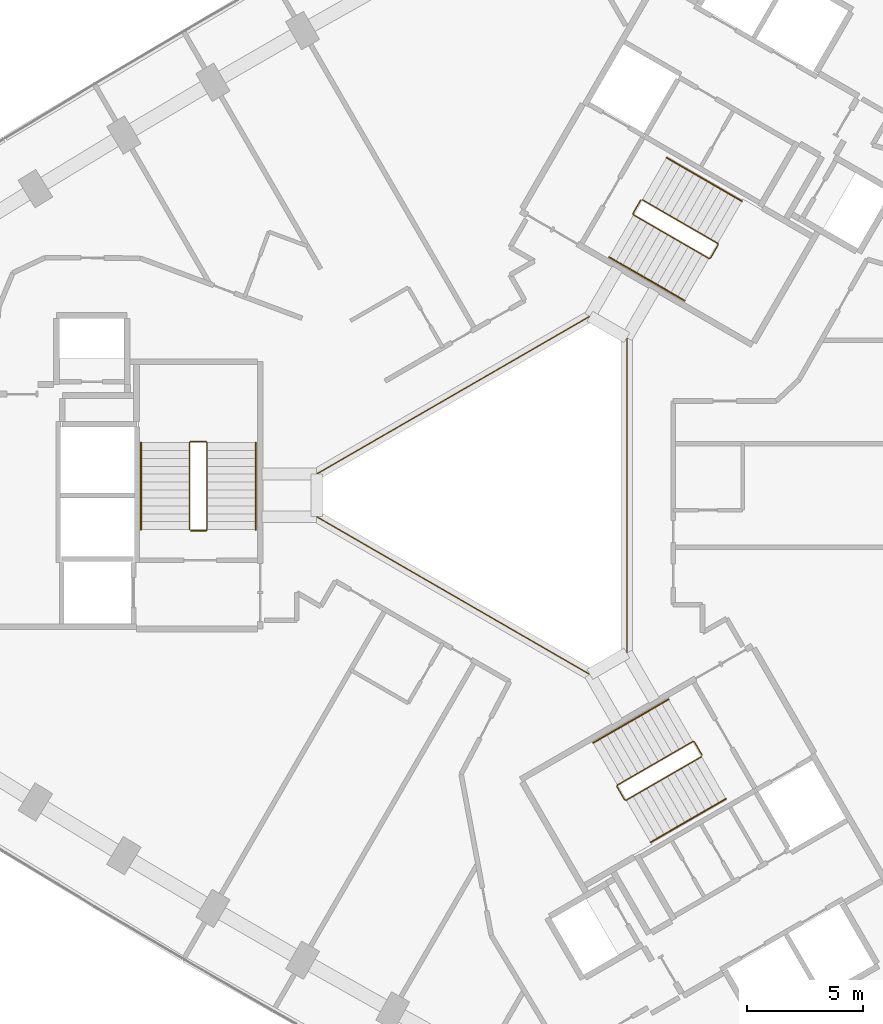
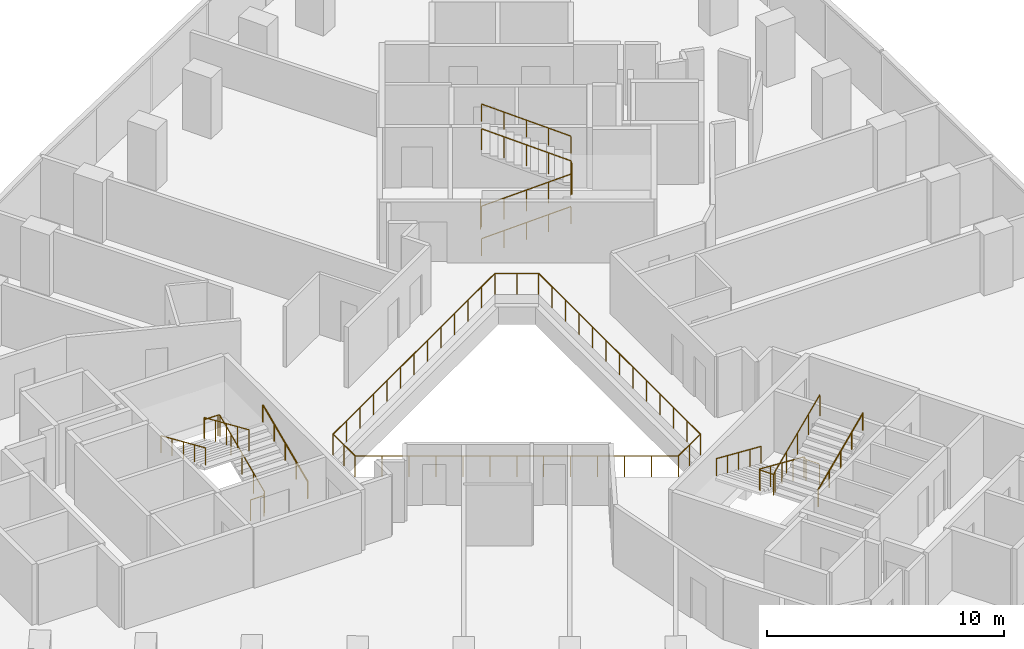
# One storey, part 13 of 13: 10 railings.
"""IFC4 building model written with IfcOpenShell, lengths in metres."""

from ifc_helpers import new_model, si_unit, direction, frame, origin, origin_2d, place, context, subcontext, project, spatial, circle, extrude, material, type_object, element, save


model = new_model("IFC4")

# Units and contexts
model_context = context("Model", 3, precision=1e-05, world=origin(), true_north=direction((0.0, 1.0)))
body_context = subcontext(model_context, "Body", "Model", "MODEL_VIEW")
ifc_project = project(units=[si_unit("LENGTHUNIT", "METRE"), si_unit("AREAUNIT", "SQUARE_METRE"), si_unit("VOLUMEUNIT", "CUBIC_METRE"), si_unit("PLANEANGLEUNIT", "RADIAN"), si_unit("MASSUNIT", "GRAM", prefix="KILO")], contexts=[model_context])

# Site, building, storey
site_placement = place(None, origin())
site = spatial("IfcSite", under=ifc_project, at=site_placement, CompositionType="ELEMENT")
building_placement = place(site_placement, origin())
building = spatial("IfcBuilding", under=site, at=building_placement, Name="Tamra Quay Hotel Tower", CompositionType="ELEMENT")
storey_placement = place(building_placement, frame((0.0, 0.0, 60.199951171875)))
storey = spatial("IfcBuildingStorey", under=building, at=storey_placement, Name="L13", CompositionType="ELEMENT", Elevation=60.199951171875)

# Railings
ifc_material_1 = material(Name="Guard atrium edge 1100")
railing_type_1 = type_object("IfcRailingType", Name="Guard atrium edge 1100", PredefinedType="GUARDRAIL", material=ifc_material_1)
railing_1_placement = place(storey_placement, frame((5.0, -6.81298828125, 0.0)))
element("IfcRailing", 1, at=railing_1_placement, inside=storey, type_object=railing_type_1, Name="G-A", PredefinedType="GUARDRAIL", context=body_context, shape_type="SweptSolid", body=[
    extrude(circle(Radius=0.02392578125, at=origin_2d()), frame((0.0, 0.0, 1.076171875), z_axis=(-0.866194386982, -0.499707198227, 0.0), x_axis=(0.499707198227, -0.866194386982, 0.0)), (0.0, 0.0, 1.0), 1.84716796875),
    extrude(circle(Radius=0.02392578125, at=origin_2d()), frame((-1.60009765625, -0.923095703125, 1.076171875), z_axis=(-0.866044747976, 0.49996649338, 0.0), x_axis=(-0.49996649338, -0.866044747976, 0.0)), (0.0, 0.0, 1.0), 13.625),
    extrude(circle(Radius=0.02392578125, at=origin_2d()), frame((-13.39990234375, 5.888916015625, 1.076171875), z_axis=(0.0, 1.0, 0.0), x_axis=(-1.0, 0.0, 0.0)), (0.0, 0.0, 1.0), 1.84814453125),
    extrude(circle(Radius=0.02392578125, at=origin_2d()), frame((-13.39990234375, 7.737060546875, 1.076171875), z_axis=(0.866044747976, 0.49996649338, 0.0), x_axis=(-0.49996649338, 0.866044747976, 0.0)), (0.0, 0.0, 1.0), 13.625),
    extrude(circle(Radius=0.02392578125, at=origin_2d()), frame((-1.60009765625, 14.549072265625, 1.076171875), z_axis=(0.866194386982, -0.499707198227, 0.0), x_axis=(0.499707198227, 0.866194386982, 0.0)), (0.0, 0.0, 1.0), 1.84716796875),
    extrude(circle(Radius=0.02392578125, at=origin_2d()), frame((0.0, 13.6259765625, 1.076171875), z_axis=(0.0, -1.0, 0.0), x_axis=(1.0, 0.0, 0.0)), (0.0, 0.0, 1.0), 13.6259765625),
    extrude(circle(Radius=0.02099609375, at=origin_2d()), origin(), (0.0, 0.0, 1.0), 1.052001953125),
    extrude(circle(Radius=0.02099609375, at=origin_2d()), frame((-0.800048828125, -0.46142578125, 0.0)), (0.0, 0.0, 1.0), 1.052001953125),
    extrude(circle(Radius=0.02099609375, at=origin_2d()), frame((-1.60009765625, -0.923095703125, 0.0)), (0.0, 0.0, 1.0), 1.052001953125),
    extrude(circle(Radius=0.02099609375, at=origin_2d()), frame((-2.58349609375, -0.35546875, 0.0)), (0.0, 0.0, 1.0), 1.052001953125),
    extrude(circle(Radius=0.02099609375, at=origin_2d()), frame((-3.566650390625, 0.212158203125, 0.0)), (0.0, 0.0, 1.0), 1.052001953125),
    extrude(circle(Radius=0.02099609375, at=origin_2d()), frame((-4.550048828125, 0.77978515625, 0.0)), (0.0, 0.0, 1.0), 1.052001953125),
    extrude(circle(Radius=0.02099609375, at=origin_2d()), frame((-5.533447265625, 1.34765625, 0.0)), (0.0, 0.0, 1.0), 1.052001953125),
    extrude(circle(Radius=0.02099609375, at=origin_2d()), frame((-6.5166015625, 1.915283203125, 0.0)), (0.0, 0.0, 1.0), 1.052001953125),
    extrude(circle(Radius=0.02099609375, at=origin_2d()), frame((-7.5, 2.48291015625, 0.0)), (0.0, 0.0, 1.0), 1.052001953125),
    extrude(circle(Radius=0.02099609375, at=origin_2d()), frame((-8.4833984375, 3.050537109375, 0.0)), (0.0, 0.0, 1.0), 1.052001953125),
    extrude(circle(Radius=0.02099609375, at=origin_2d()), frame((-9.466552734375, 3.6181640625, 0.0)), (0.0, 0.0, 1.0), 1.052001953125),
    extrude(circle(Radius=0.02099609375, at=origin_2d()), frame((-10.449951171875, 4.18603515625, 0.0)), (0.0, 0.0, 1.0), 1.052001953125),
    extrude(circle(Radius=0.02099609375, at=origin_2d()), frame((-11.433349609375, 4.753662109375, 0.0)), (0.0, 0.0, 1.0), 1.052001953125),
    extrude(circle(Radius=0.02099609375, at=origin_2d()), frame((-12.41650390625, 5.3212890625, 0.0)), (0.0, 0.0, 1.0), 1.052001953125),
    extrude(circle(Radius=0.02099609375, at=origin_2d()), frame((-13.39990234375, 5.888916015625, 0.0)), (0.0, 0.0, 1.0), 1.052001953125),
    extrude(circle(Radius=0.02099609375, at=origin_2d()), frame((-13.39990234375, 6.81298828125, 0.0)), (0.0, 0.0, 1.0), 1.052001953125),
    extrude(circle(Radius=0.02099609375, at=origin_2d()), frame((-13.39990234375, 7.737060546875, 0.0)), (0.0, 0.0, 1.0), 1.052001953125),
    extrude(circle(Radius=0.02099609375, at=origin_2d()), frame((-12.41650390625, 8.3046875, 0.0)), (0.0, 0.0, 1.0), 1.052001953125),
    extrude(circle(Radius=0.02099609375, at=origin_2d()), frame((-11.433349609375, 8.872314453125, 0.0)), (0.0, 0.0, 1.0), 1.052001953125),
    extrude(circle(Radius=0.02099609375, at=origin_2d()), frame((-10.449951171875, 9.43994140625, 0.0)), (0.0, 0.0, 1.0), 1.052001953125),
    extrude(circle(Radius=0.02099609375, at=origin_2d()), frame((-9.466552734375, 10.0078125, 0.0)), (0.0, 0.0, 1.0), 1.052001953125),
    extrude(circle(Radius=0.02099609375, at=origin_2d()), frame((-8.4833984375, 10.575439453125, 0.0)), (0.0, 0.0, 1.0), 1.052001953125),
    extrude(circle(Radius=0.02099609375, at=origin_2d()), frame((-7.5, 11.14306640625, 0.0)), (0.0, 0.0, 1.0), 1.052001953125),
    extrude(circle(Radius=0.02099609375, at=origin_2d()), frame((-6.5166015625, 11.710693359375, 0.0)), (0.0, 0.0, 1.0), 1.052001953125),
    extrude(circle(Radius=0.02099609375, at=origin_2d()), frame((-5.533447265625, 12.2783203125, 0.0)), (0.0, 0.0, 1.0), 1.052001953125),
    extrude(circle(Radius=0.02099609375, at=origin_2d()), frame((-4.550048828125, 12.84619140625, 0.0)), (0.0, 0.0, 1.0), 1.052001953125),
    extrude(circle(Radius=0.02099609375, at=origin_2d()), frame((-3.566650390625, 13.413818359375, 0.0)), (0.0, 0.0, 1.0), 1.052001953125),
    extrude(circle(Radius=0.02099609375, at=origin_2d()), frame((-2.58349609375, 13.9814453125, 0.0)), (0.0, 0.0, 1.0), 1.052001953125),
    extrude(circle(Radius=0.02099609375, at=origin_2d()), frame((-1.60009765625, 14.549072265625, 0.0)), (0.0, 0.0, 1.0), 1.052001953125),
    extrude(circle(Radius=0.02099609375, at=origin_2d()), frame((-0.800048828125, 14.08740234375, 0.0)), (0.0, 0.0, 1.0), 1.052001953125),
    extrude(circle(Radius=0.02099609375, at=origin_2d()), frame((0.0, 13.6259765625, 0.0)), (0.0, 0.0, 1.0), 1.052001953125),
    extrude(circle(Radius=0.02099609375, at=origin_2d()), frame((0.0, 12.490478515625, 0.0)), (0.0, 0.0, 1.0), 1.052001953125),
    extrude(circle(Radius=0.02099609375, at=origin_2d()), frame((0.0, 11.35498046875, 0.0)), (0.0, 0.0, 1.0), 1.052001953125),
    extrude(circle(Radius=0.02099609375, at=origin_2d()), frame((0.0, 10.219482421875, 0.0)), (0.0, 0.0, 1.0), 1.052001953125),
    extrude(circle(Radius=0.02099609375, at=origin_2d()), frame((0.0, 9.083984375, 0.0)), (0.0, 0.0, 1.0), 1.052001953125),
    extrude(circle(Radius=0.02099609375, at=origin_2d()), frame((0.0, 7.948486328125, 0.0)), (0.0, 0.0, 1.0), 1.052001953125),
    extrude(circle(Radius=0.02099609375, at=origin_2d()), frame((0.0, 6.81298828125, 0.0)), (0.0, 0.0, 1.0), 1.052001953125),
    extrude(circle(Radius=0.02099609375, at=origin_2d()), frame((0.0, 5.677490234375, 0.0)), (0.0, 0.0, 1.0), 1.052001953125),
    extrude(circle(Radius=0.02099609375, at=origin_2d()), frame((0.0, 4.5419921875, 0.0)), (0.0, 0.0, 1.0), 1.052001953125),
    extrude(circle(Radius=0.02099609375, at=origin_2d()), frame((0.0, 3.406494140625, 0.0)), (0.0, 0.0, 1.0), 1.052001953125),
    extrude(circle(Radius=0.02099609375, at=origin_2d()), frame((0.0, 2.27099609375, 0.0)), (0.0, 0.0, 1.0), 1.052001953125),
    extrude(circle(Radius=0.02099609375, at=origin_2d()), frame((0.0, 1.135498046875, 0.0)), (0.0, 0.0, 1.0), 1.052001953125),
])
ifc_material_2 = material(Name="Stair guard 1100")
railing_type_2 = type_object("IfcRailingType", Name="Stair guard 1100", PredefinedType="GUARDRAIL", material=ifc_material_2)
railing_2_placement = place(storey_placement, frame((-13.84130859375, -1.530029296875, 0.0)))
element("IfcRailing", 2, at=railing_2_placement, inside=storey, type_object=railing_type_2, Name="GR", PredefinedType="GUARDRAIL", context=body_context, shape_type="SweptSolid", body=[
    extrude(circle(Radius=0.02392578125, at=origin_2d()), frame((0.0, 0.0, 1.076171875), z_axis=(1.0, 0.0, 0.0), x_axis=(0.0, 1.0, 0.0)), (0.0, 0.0, 1.0), 0.658935546875),
    extrude(circle(Radius=0.02392578125, at=origin_2d()), frame((0.658935546875, 0.0, 1.076171875), z_axis=(0.301511344578, 0.301511344578, 0.904534033733), x_axis=(-0.707106781187, 0.707106781187, 0.0)), (0.0, 0.0, 1.0), 0.166015625),
    extrude(circle(Radius=0.02392578125, at=origin_2d()), frame((0.708984375, 0.050048828125, 1.22607421875), z_axis=(0.0, 0.915795495799, 0.401644880304), x_axis=(-1.0, 0.0, 0.0)), (0.0, 0.0, 1.0), 4.10791015625),
    extrude(circle(Radius=0.02392578125, at=origin_2d()), frame((0.708984375, 3.81201171875, 2.8759765625), z_axis=(-0.708833529934, 0.705375805398, 0.0), x_axis=(-0.705375805398, -0.708833529934, 0.0)), (0.0, 0.0, 1.0), 0.070556640625),
    extrude(circle(Radius=0.02392578125, at=origin_2d()), frame((0.658935546875, 3.86181640625, 2.8759765625), z_axis=(-1.0, 0.0, 0.0), x_axis=(0.0, -1.0, 0.0)), (0.0, 0.0, 1.0), 0.658935546875),
    extrude(circle(Radius=0.02392578125, at=origin_2d()), frame((0.0, 3.86181640625, 2.8759765625), z_axis=(-0.302046947789, -0.300573548044, 0.904667443621), x_axis=(0.705375805398, -0.708833529934, 0.0)), (0.0, 0.0, 1.0), 0.165771484375),
    extrude(circle(Radius=0.02392578125, at=origin_2d()), frame((-0.050048828125, 3.81201171875, 3.02587890625), z_axis=(0.0, -0.915773634228, 0.401694723457), x_axis=(1.0, 0.0, 0.0)), (0.0, 0.0, 1.0), 4.10791015625),
    extrude(circle(Radius=0.02099609375, at=origin_2d()), origin(), (0.0, 0.0, 1.0), 1.052001953125),
    extrude(circle(Radius=0.02099609375, at=origin_2d()), frame((0.658935546875, 0.0, 0.0)), (0.0, 0.0, 1.0), 1.052001953125),
    extrude(circle(Radius=0.02099609375, at=origin_2d()), frame((0.708984375, 0.050048828125, 0.150146484375)), (0.0, 0.0, 1.0), 1.052001953125),
    extrude(circle(Radius=0.02099609375, at=origin_2d()), frame((0.708984375, 0.990478515625, 0.5625)), (0.0, 0.0, 1.0), 1.052001953125),
    extrude(circle(Radius=0.02099609375, at=origin_2d()), frame((0.708984375, 1.93115234375, 0.97509765625)), (0.0, 0.0, 1.0), 1.052001953125),
    extrude(circle(Radius=0.02099609375, at=origin_2d()), frame((0.708984375, 2.87158203125, 1.3876953125)), (0.0, 0.0, 1.0), 1.052001953125),
    extrude(circle(Radius=0.02099609375, at=origin_2d()), frame((0.708984375, 3.81201171875, 1.800048828125)), (0.0, 0.0, 1.0), 1.052001953125),
    extrude(circle(Radius=0.02099609375, at=origin_2d()), frame((0.658935546875, 3.86181640625, 1.800048828125)), (0.0, 0.0, 1.0), 1.052001953125),
    extrude(circle(Radius=0.02099609375, at=origin_2d()), frame((0.0, 3.86181640625, 1.800048828125)), (0.0, 0.0, 1.0), 1.052001953125),
    extrude(circle(Radius=0.02099609375, at=origin_2d()), frame((-0.050048828125, 3.81201171875, 1.949951171875)), (0.0, 0.0, 1.0), 1.052001953125),
    extrude(circle(Radius=0.02099609375, at=origin_2d()), frame((-0.050048828125, 2.87158203125, 2.362548828125)), (0.0, 0.0, 1.0), 1.052001953125),
    extrude(circle(Radius=0.02099609375, at=origin_2d()), frame((-0.050048828125, 1.93115234375, 2.77490234375)), (0.0, 0.0, 1.0), 1.052001953125),
    extrude(circle(Radius=0.02099609375, at=origin_2d()), frame((-0.050048828125, 0.990478515625, 3.1875)), (0.0, 0.0, 1.0), 1.052001953125),
    extrude(circle(Radius=0.02099609375, at=origin_2d()), frame((-0.050048828125, 0.050048828125, 3.60009765625)), (0.0, 0.0, 1.0), 1.052001953125),
])
railing_3_placement = place(storey_placement, frame((5.595458984375, 12.751953125, 0.0)))
element("IfcRailing", 3, at=railing_3_placement, inside=storey, type_object=railing_type_2, Name="GR", PredefinedType="GUARDRAIL", context=body_context, shape_type="SweptSolid", body=[
    extrude(circle(Radius=0.02392578125, at=origin_2d()), frame((0.0, 0.0, 1.076171875), z_axis=(-0.499765215335, -0.866160914346, 0.0), x_axis=(0.866160914346, -0.499765215335, 0.0)), (0.0, 0.0, 1.0), 0.658935546875),
    extrude(circle(Radius=0.02392578125, at=origin_2d()), frame((-0.329345703125, -0.57080078125, 1.076171875), z_axis=(0.110378772244, -0.410609032747, 0.905105932399), x_axis=(0.965715946433, 0.259601060869, 0.0)), (0.0, 0.0, 1.0), 0.165771484375),
    extrude(circle(Radius=0.02392578125, at=origin_2d()), frame((-0.31103515625, -0.638916015625, 1.22607421875), z_axis=(0.793078462799, -0.457933869594, 0.401650498471), x_axis=(0.500040788363, 0.866001853331, 0.0)), (0.0, 0.0, 1.0), 4.10791015625),
    extrude(circle(Radius=0.02392578125, at=origin_2d()), frame((2.94677734375, -2.52001953125, 2.8759765625), z_axis=(0.965948051503, 0.258736085224, 0.0), x_axis=(-0.258736085224, 0.965948051503, 0.0)), (0.0, 0.0, 1.0), 0.07080078125),
    extrude(circle(Radius=0.02392578125, at=origin_2d()), frame((3.01513671875, -2.501708984375, 2.8759765625), z_axis=(0.500043078269, 0.866000531106, 0.0), x_axis=(-0.866000531106, 0.500043078269, 0.0)), (0.0, 0.0, 1.0), 0.6591796875),
    extrude(circle(Radius=0.02392578125, at=origin_2d()), frame((3.3447265625, -1.930908203125, 2.8759765625), z_axis=(-0.110525977783, 0.411156637351, 0.904839338113), x_axis=(-0.965715946433, -0.259601060869, 0.0)), (0.0, 0.0, 1.0), 0.165771484375),
    extrude(circle(Radius=0.02392578125, at=origin_2d()), frame((3.326416015625, -1.86279296875, 3.02587890625), z_axis=(-0.793081581205, 0.457901355053, 0.401681409319), x_axis=(-0.500012686397, -0.866018079166, 0.0)), (0.0, 0.0, 1.0), 4.108154296875),
    extrude(circle(Radius=0.02099609375, at=origin_2d()), origin(), (0.0, 0.0, 1.0), 1.052001953125),
    extrude(circle(Radius=0.02099609375, at=origin_2d()), frame((-0.329345703125, -0.57080078125, 0.0)), (0.0, 0.0, 1.0), 1.052001953125),
    extrude(circle(Radius=0.02099609375, at=origin_2d()), frame((-0.31103515625, -0.638916015625, 0.150146484375)), (0.0, 0.0, 1.0), 1.052001953125),
    extrude(circle(Radius=0.02099609375, at=origin_2d()), frame((0.50341796875, -1.109130859375, 0.5625)), (0.0, 0.0, 1.0), 1.052001953125),
    extrude(circle(Radius=0.02099609375, at=origin_2d()), frame((1.31787109375, -1.57958984375, 0.97509765625)), (0.0, 0.0, 1.0), 1.052001953125),
    extrude(circle(Radius=0.02099609375, at=origin_2d()), frame((2.13232421875, -2.0498046875, 1.3876953125)), (0.0, 0.0, 1.0), 1.052001953125),
    extrude(circle(Radius=0.02099609375, at=origin_2d()), frame((2.94677734375, -2.52001953125, 1.800048828125)), (0.0, 0.0, 1.0), 1.052001953125),
    extrude(circle(Radius=0.02099609375, at=origin_2d()), frame((3.01513671875, -2.501708984375, 1.800048828125)), (0.0, 0.0, 1.0), 1.052001953125),
    extrude(circle(Radius=0.02099609375, at=origin_2d()), frame((3.3447265625, -1.930908203125, 1.800048828125)), (0.0, 0.0, 1.0), 1.052001953125),
    extrude(circle(Radius=0.02099609375, at=origin_2d()), frame((3.326416015625, -1.86279296875, 1.949951171875)), (0.0, 0.0, 1.0), 1.052001953125),
    extrude(circle(Radius=0.02099609375, at=origin_2d()), frame((2.511962890625, -1.392578125, 2.362548828125)), (0.0, 0.0, 1.0), 1.052001953125),
    extrude(circle(Radius=0.02099609375, at=origin_2d()), frame((1.697265625, -0.92236328125, 2.77490234375)), (0.0, 0.0, 1.0), 1.052001953125),
    extrude(circle(Radius=0.02099609375, at=origin_2d()), frame((0.8828125, -0.451904296875, 3.1875)), (0.0, 0.0, 1.0), 1.052001953125),
    extrude(circle(Radius=0.02099609375, at=origin_2d()), frame((0.068359375, 0.018310546875, 3.60009765625)), (0.0, 0.0, 1.0), 1.052001953125),
])
railing_4_placement = place(storey_placement, frame((8.245849609375, -11.221923828125, 0.0)))
element("IfcRailing", 4, at=railing_4_placement, inside=storey, type_object=railing_type_2, Name="GR", PredefinedType="GUARDRAIL", context=body_context, shape_type="SweptSolid", body=[
    extrude(circle(Radius=0.02392578125, at=origin_2d()), frame((0.0, 0.0, 1.076171875), z_axis=(-0.500043078269, 0.866000531106, 0.0), x_axis=(-0.866000531106, -0.500043078269, 0.0)), (0.0, 0.0, 1.0), 0.6591796875),
    extrude(circle(Radius=0.02392578125, at=origin_2d()), frame((-0.32958984375, 0.57080078125, 1.076171875), z_axis=(-0.411831509231, 0.110312011401, 0.90455849349), x_axis=(-0.258736085224, -0.965948051503, 0.0)), (0.0, 0.0, 1.0), 0.166015625),
    extrude(circle(Radius=0.02392578125, at=origin_2d()), frame((-0.39794921875, 0.589111328125, 1.22607421875), z_axis=(-0.793100512587, -0.457912285461, 0.401631567183), x_axis=(0.500012686397, -0.866018079166, 0.0)), (0.0, 0.0, 1.0), 4.10791015625),
    extrude(circle(Radius=0.02392578125, at=origin_2d()), frame((-3.656005859375, -1.2919921875, 2.8759765625), z_axis=(-0.256368644879, -0.966579080015, 0.0), x_axis=(0.966579080015, -0.256368644879, 0.0)), (0.0, 0.0, 1.0), 0.070556640625),
    extrude(circle(Radius=0.02392578125, at=origin_2d()), frame((-3.674072265625, -1.360107421875, 2.8759765625), z_axis=(0.499765215335, -0.866160914346, 0.0), x_axis=(0.866160914346, 0.499765215335, 0.0)), (0.0, 0.0, 1.0), 0.658935546875),
    extrude(circle(Radius=0.02392578125, at=origin_2d()), frame((-3.3447265625, -1.930908203125, 2.8759765625), z_axis=(0.41238007866, -0.110458949641, 0.904290601062), x_axis=(0.258736085224, 0.965948051503, 0.0)), (0.0, 0.0, 1.0), 0.165771484375),
    extrude(circle(Radius=0.02392578125, at=origin_2d()), frame((-3.2763671875, -1.94921875, 3.02587890625), z_axis=(0.793081581205, 0.457901355053, 0.401681409319), x_axis=(-0.500012686397, 0.866018079166, 0.0)), (0.0, 0.0, 1.0), 4.108154296875),
    extrude(circle(Radius=0.02099609375, at=origin_2d()), origin(), (0.0, 0.0, 1.0), 1.052001953125),
    extrude(circle(Radius=0.02099609375, at=origin_2d()), frame((-0.32958984375, 0.57080078125, 0.0)), (0.0, 0.0, 1.0), 1.052001953125),
    extrude(circle(Radius=0.02099609375, at=origin_2d()), frame((-0.39794921875, 0.589111328125, 0.150146484375)), (0.0, 0.0, 1.0), 1.052001953125),
    extrude(circle(Radius=0.02099609375, at=origin_2d()), frame((-1.21240234375, 0.118896484375, 0.5625)), (0.0, 0.0, 1.0), 1.052001953125),
    extrude(circle(Radius=0.02099609375, at=origin_2d()), frame((-2.02685546875, -0.3515625, 0.97509765625)), (0.0, 0.0, 1.0), 1.052001953125),
    extrude(circle(Radius=0.02099609375, at=origin_2d()), frame((-2.841552734375, -0.82177734375, 1.3876953125)), (0.0, 0.0, 1.0), 1.052001953125),
    extrude(circle(Radius=0.02099609375, at=origin_2d()), frame((-3.656005859375, -1.2919921875, 1.800048828125)), (0.0, 0.0, 1.0), 1.052001953125),
    extrude(circle(Radius=0.02099609375, at=origin_2d()), frame((-3.674072265625, -1.360107421875, 1.800048828125)), (0.0, 0.0, 1.0), 1.052001953125),
    extrude(circle(Radius=0.02099609375, at=origin_2d()), frame((-3.3447265625, -1.930908203125, 1.800048828125)), (0.0, 0.0, 1.0), 1.052001953125),
    extrude(circle(Radius=0.02099609375, at=origin_2d()), frame((-3.2763671875, -1.94921875, 1.949951171875)), (0.0, 0.0, 1.0), 1.052001953125),
    extrude(circle(Radius=0.02099609375, at=origin_2d()), frame((-2.4619140625, -1.47900390625, 2.362548828125)), (0.0, 0.0, 1.0), 1.052001953125),
    extrude(circle(Radius=0.02099609375, at=origin_2d()), frame((-1.6474609375, -1.0087890625, 2.77490234375)), (0.0, 0.0, 1.0), 1.052001953125),
    extrude(circle(Radius=0.02099609375, at=origin_2d()), frame((-0.832763671875, -0.538330078125, 3.1875)), (0.0, 0.0, 1.0), 1.052001953125),
    extrude(circle(Radius=0.02099609375, at=origin_2d()), frame((-0.018310546875, -0.068115234375, 3.60009765625)), (0.0, 0.0, 1.0), 1.052001953125),
])
ifc_material_3 = material(Name="Stair handrail 900")
railing_type_3 = type_object("IfcRailingType", Name="Stair handrail 900", PredefinedType="HANDRAIL", material=ifc_material_3)
railing_5_placement = place(storey_placement, frame((-11.0322265625, -1.47998046875, 0.150146484375)))
element("IfcRailing", 5, at=railing_5_placement, inside=storey, type_object=railing_type_3, Name="HR", PredefinedType="HANDRAIL", context=body_context, shape_type="SweptSolid", body=[
    extrude(circle(Radius=0.02392578125, at=origin_2d()), frame((0.0, 0.0, 0.8759765625), z_axis=(0.0, 0.915795495799, 0.401644880304), x_axis=(-1.0, 0.0, 0.0)), (0.0, 0.0, 1.0), 4.10791015625),
    extrude(circle(Radius=0.02099609375, at=origin_2d()), origin(), (0.0, 0.0, 1.0), 0.851806640625),
    extrude(circle(Radius=0.02099609375, at=origin_2d()), frame((0.0, 0.9404296875, 0.41259765625)), (0.0, 0.0, 1.0), 0.851806640625),
    extrude(circle(Radius=0.02099609375, at=origin_2d()), frame((0.0, 1.880859375, 0.824951171875)), (0.0, 0.0, 1.0), 0.851806640625),
    extrude(circle(Radius=0.02099609375, at=origin_2d()), frame((0.0, 2.821533203125, 1.2373046875)), (0.0, 0.0, 1.0), 0.851806640625),
    extrude(circle(Radius=0.02099609375, at=origin_2d()), frame((0.0, 3.761962890625, 1.64990234375)), (0.0, 0.0, 1.0), 0.851806640625),
])
railing_6_placement = place(storey_placement, frame((-15.9912109375, 2.281982421875, 1.949951171875)))
element("IfcRailing", 6, at=railing_6_placement, inside=storey, type_object=railing_type_3, Name="HR", PredefinedType="HANDRAIL", context=body_context, shape_type="SweptSolid", body=[
    extrude(circle(Radius=0.02392578125, at=origin_2d()), frame((0.0, 0.0, 0.8759765625), z_axis=(0.0, -0.915773634228, 0.401694723457), x_axis=(1.0, 0.0, 0.0)), (0.0, 0.0, 1.0), 4.10791015625),
    extrude(circle(Radius=0.02099609375, at=origin_2d()), origin(), (0.0, 0.0, 1.0), 0.851806640625),
    extrude(circle(Radius=0.02099609375, at=origin_2d()), frame((0.0, -0.9404296875, 0.41259765625)), (0.0, 0.0, 1.0), 0.851806640625),
    extrude(circle(Radius=0.02099609375, at=origin_2d()), frame((0.0, -1.880859375, 0.8251953125)), (0.0, 0.0, 1.0), 0.851806640625),
    extrude(circle(Radius=0.02099609375, at=origin_2d()), frame((0.0, -2.821533203125, 1.237548828125)), (0.0, 0.0, 1.0), 0.851806640625),
    extrude(circle(Radius=0.02099609375, at=origin_2d()), frame((0.0, -3.761962890625, 1.650146484375)), (0.0, 0.0, 1.0), 0.851806640625),
])
railing_7_placement = place(storey_placement, frame((4.234375, 10.294189453125, 0.150146484375)))
element("IfcRailing", 7, at=railing_7_placement, inside=storey, type_object=railing_type_3, Name="HR", PredefinedType="HANDRAIL", context=body_context, shape_type="SweptSolid", body=[
    extrude(circle(Radius=0.02392578125, at=origin_2d()), frame((0.0, 0.0, 0.8759765625), z_axis=(0.793122095483, -0.45786531462, 0.401642496911), x_axis=(0.499964013922, 0.86604617936, 0.0)), (0.0, 0.0, 1.0), 4.10791015625),
    extrude(circle(Radius=0.02099609375, at=origin_2d()), origin(), (0.0, 0.0, 1.0), 0.851806640625),
    extrude(circle(Radius=0.02099609375, at=origin_2d()), frame((0.814453125, -0.47021484375, 0.41259765625)), (0.0, 0.0, 1.0), 0.851806640625),
    extrude(circle(Radius=0.02099609375, at=origin_2d()), frame((1.62890625, -0.9404296875, 0.824951171875)), (0.0, 0.0, 1.0), 0.851806640625),
    extrude(circle(Radius=0.02099609375, at=origin_2d()), frame((2.443603515625, -1.41064453125, 1.2373046875)), (0.0, 0.0, 1.0), 0.851806640625),
    extrude(circle(Radius=0.02099609375, at=origin_2d()), frame((3.258056640625, -1.880859375, 1.64990234375)), (0.0, 0.0, 1.0), 0.851806640625),
])
railing_8_placement = place(storey_placement, frame((9.971923828125, 12.7080078125, 1.949951171875)))
element("IfcRailing", 8, at=railing_8_placement, inside=storey, type_object=railing_type_3, Name="HR", PredefinedType="HANDRAIL", context=body_context, shape_type="SweptSolid", body=[
    extrude(circle(Radius=0.02392578125, at=origin_2d()), frame((0.0, 0.0, 0.8759765625), z_axis=(-0.793103162556, 0.457854384738, 0.401692339881), x_axis=(-0.499964013922, -0.86604617936, 0.0)), (0.0, 0.0, 1.0), 4.10791015625),
    extrude(circle(Radius=0.02099609375, at=origin_2d()), origin(), (0.0, 0.0, 1.0), 0.851806640625),
    extrude(circle(Radius=0.02099609375, at=origin_2d()), frame((-0.814453125, 0.47021484375, 0.41259765625)), (0.0, 0.0, 1.0), 0.851806640625),
    extrude(circle(Radius=0.02099609375, at=origin_2d()), frame((-1.62890625, 0.9404296875, 0.8251953125)), (0.0, 0.0, 1.0), 0.851806640625),
    extrude(circle(Radius=0.02099609375, at=origin_2d()), frame((-2.443603515625, 1.41064453125, 1.237548828125)), (0.0, 0.0, 1.0), 0.851806640625),
    extrude(circle(Radius=0.02099609375, at=origin_2d()), frame((-3.258056640625, 1.880859375, 1.650146484375)), (0.0, 0.0, 1.0), 0.851806640625),
])
railing_9_placement = place(storey_placement, frame((6.7978515625, -8.814208984375, 0.150146484375)))
element("IfcRailing", 9, at=railing_9_placement, inside=storey, type_object=railing_type_3, Name="HR", PredefinedType="HANDRAIL", context=body_context, shape_type="SweptSolid", body=[
    extrude(circle(Radius=0.02392578125, at=origin_2d()), frame((0.0, 0.0, 0.8759765625), z_axis=(-0.79310004713, -0.457886897714, 0.401661429744), x_axis=(0.499992114976, -0.866029956157, 0.0)), (0.0, 0.0, 1.0), 4.107666015625),
    extrude(circle(Radius=0.02099609375, at=origin_2d()), origin(), (0.0, 0.0, 1.0), 0.851806640625),
    extrude(circle(Radius=0.02099609375, at=origin_2d()), frame((-0.814453125, -0.47021484375, 0.41259765625)), (0.0, 0.0, 1.0), 0.851806640625),
    extrude(circle(Radius=0.02099609375, at=origin_2d()), frame((-1.62890625, -0.9404296875, 0.824951171875)), (0.0, 0.0, 1.0), 0.851806640625),
    extrude(circle(Radius=0.02099609375, at=origin_2d()), frame((-2.443359375, -1.41064453125, 1.2373046875)), (0.0, 0.0, 1.0), 0.851806640625),
    extrude(circle(Radius=0.02099609375, at=origin_2d()), frame((-3.2578125, -1.880859375, 1.64990234375)), (0.0, 0.0, 1.0), 0.851806640625),
])
railing_10_placement = place(storey_placement, frame((6.01953125, -14.98974609375, 1.949951171875)))
element("IfcRailing", 10, at=railing_10_placement, inside=storey, type_object=railing_type_3, Name="HR", PredefinedType="HANDRAIL", context=body_context, shape_type="SweptSolid", body=[
    extrude(circle(Radius=0.02392578125, at=origin_2d()), frame((0.0, 0.0, 0.8759765625), z_axis=(0.793081112945, 0.457875966286, 0.40171127416), x_axis=(-0.499992114976, 0.866029956157, 0.0)), (0.0, 0.0, 1.0), 4.10791015625),
    extrude(circle(Radius=0.02099609375, at=origin_2d()), origin(), (0.0, 0.0, 1.0), 0.851806640625),
    extrude(circle(Radius=0.02099609375, at=origin_2d()), frame((0.814453125, 0.47021484375, 0.41259765625)), (0.0, 0.0, 1.0), 0.851806640625),
    extrude(circle(Radius=0.02099609375, at=origin_2d()), frame((1.62890625, 0.9404296875, 0.8251953125)), (0.0, 0.0, 1.0), 0.851806640625),
    extrude(circle(Radius=0.02099609375, at=origin_2d()), frame((2.443359375, 1.41064453125, 1.237548828125)), (0.0, 0.0, 1.0), 0.851806640625),
    extrude(circle(Radius=0.02099609375, at=origin_2d()), frame((3.2578125, 1.880859375, 1.650146484375)), (0.0, 0.0, 1.0), 0.851806640625),
])

save(model, "model.ifc")
